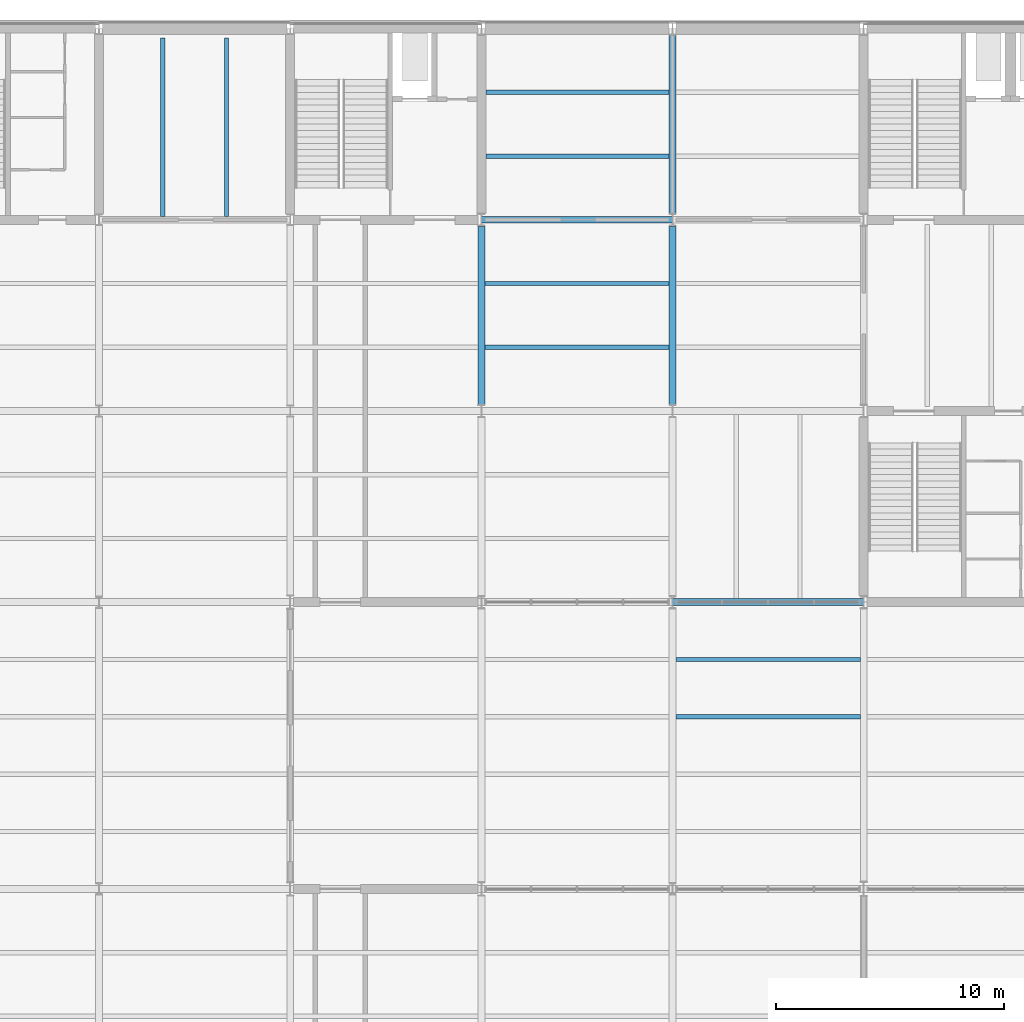
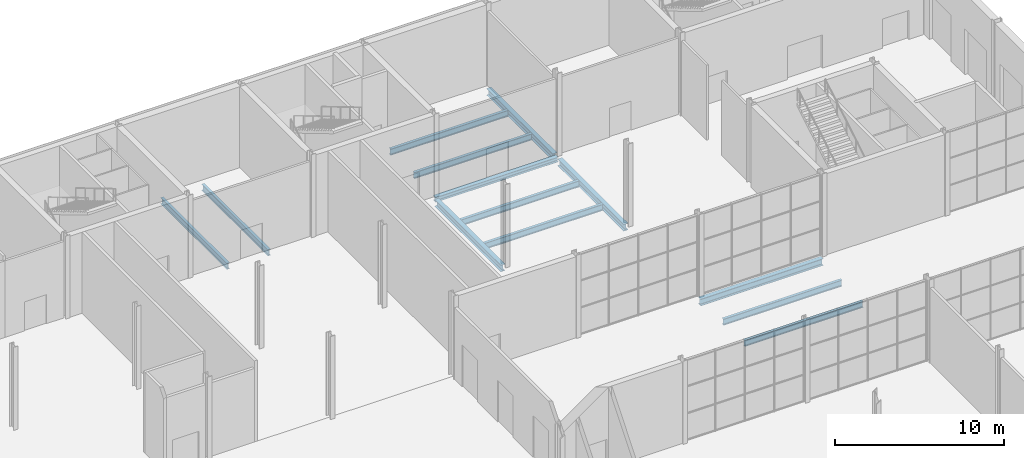
# One storey, part 24 of 55: 13 beams.
"""IFC4 building model written with IfcOpenShell, lengths in metres."""

from ifc_helpers import new_model, si_unit, direction, frame, origin, origin_2d, place, context, subcontext, project, spatial, i_section, extrude, material, material_profile, profile_set, type_object, element, save


model = new_model("IFC4")

# Units and contexts
model_context = context("Model", 3, precision=1e-05, world=origin(), true_north=direction((0.0, 1.0)))
body_context = subcontext(model_context, "Body", "Model", "MODEL_VIEW")
ifc_project = project(units=[si_unit("LENGTHUNIT", "METRE"), si_unit("AREAUNIT", "SQUARE_METRE"), si_unit("VOLUMEUNIT", "CUBIC_METRE"), si_unit("PLANEANGLEUNIT", "RADIAN"), si_unit("MASSUNIT", "GRAM", prefix="KILO")], contexts=[model_context])

# Site, building, storey
site_placement = place(None, origin())
site = spatial("IfcSite", under=ifc_project, at=site_placement, CompositionType="ELEMENT")
building_placement = place(site_placement, origin())
building = spatial("IfcBuilding", under=site, at=building_placement, Name="Galleria Vessillo Department Store", CompositionType="ELEMENT")
storey_placement = place(building_placement, origin())
storey = spatial("IfcBuildingStorey", under=building, at=storey_placement, Name="L00", CompositionType="ELEMENT", Elevation=0.0)

# Beams
ifc_material_1 = material(Name="Steel S355 J2", Category="steel")
ifc_material_profile_1 = material_profile(ifc_material_1, i_section(OverallWidth=0.300048828125, OverallDepth=0.489990234375, WebThickness=0.011962890625, FlangeThickness=0.02294921875, FilletRadius=0.027099609375, at=origin_2d()), Name="HEA 500")
ifc_profile_set_1 = profile_set([ifc_material_profile_1], Name="Steel S355 J2")
beam_type_1 = type_object("IfcBeamType", Name="Floor girder HEA 500", PredefinedType="BEAM", material=ifc_profile_set_1)
beam_1_placement = place(storey_placement, frame((92.41064453125, 37.800048828125, -0.4951171875), z_axis=(1.0, 0.0, 0.0), x_axis=(0.0, 1.0, 0.0)))
element("IfcBeam", 1, at=beam_1_placement, inside=storey, type_object=beam_type_1, Name="S-BM-L00-GI-x37800-92411", PredefinedType="BEAM", context=body_context, shape_type="SweptSolid", body=[
    extrude(i_section(OverallWidth=0.300048828125, OverallDepth=0.489990234375, WebThickness=0.011962890625, FlangeThickness=0.02294921875, FilletRadius=0.027099609375, at=origin_2d()), origin(), (0.0, 0.0, 1.0), 8.378662109375),
])
for number, where, z_axis, x_axis, name in (
    (2, (84.0, 46.486083984375, -0.39501953125), (0.0, 1.0, 0.0), (-1.0, 0.0, 0.0), "S-BM-L00-GI-y84000-46486"),
    (3, (92.39990234375, 46.486083984375, -0.39501953125), (0.0, 1.0, 0.0), (-1.0, 0.0, 0.0), "S-BM-L00-GI-y92400-46486"),
):
    element("IfcBeam", number, at=place(storey_placement, frame(where, z_axis=z_axis, x_axis=x_axis)), inside=storey, type_object=beam_type_1, Name=name, PredefinedType="BEAM", context=body_context, shape_type="SweptSolid", body=[
        extrude(i_section(OverallWidth=0.300048828125, OverallDepth=0.489990234375, WebThickness=0.011962890625, FlangeThickness=0.02294921875, FilletRadius=0.027099609375, at=origin_2d()), origin(), (0.0, 0.0, 1.0), 7.827880859375),
    ])
beam_2_placement = place(storey_placement, frame((92.39990234375, 54.88623046875, -0.39501953125), z_axis=(0.0, 1.0, 0.0), x_axis=(-1.0, 0.0, 0.0)))
element("IfcBeam", 4, at=beam_2_placement, inside=storey, type_object=beam_type_1, Name="S-BM-L00-GI-y92400-54886", PredefinedType="BEAM", context=body_context, shape_type="SweptSolid", body=[
    extrude(i_section(OverallWidth=0.300048828125, OverallDepth=0.489990234375, WebThickness=0.011962890625, FlangeThickness=0.02294921875, FilletRadius=0.027099609375, at=origin_2d()), origin(), (0.0, 0.0, 1.0), 7.82763671875),
])
ifc_material_2 = material(Name="Steel S355 J2", Category="steel")
ifc_material_profile_2 = material_profile(ifc_material_2, i_section(OverallWidth=0.18994140625, OverallDepth=0.449951171875, WebThickness=0.009521484375, FlangeThickness=0.0146484375, FilletRadius=0.02099609375, at=origin_2d()), Name="IPE 450")
ifc_profile_set_2 = profile_set([ifc_material_profile_2], Name="Steel S355 J2")
beam_type_2 = type_object("IfcBeamType", Name="Floor joist IPE 450", PredefinedType="JOIST", material=ifc_profile_set_2)
for number, where, z_axis, x_axis, name in (
    (5, (70.0, 54.750244140625, -0.375), (0.0, 1.0, 0.0), (-1.0, 0.0, 0.0), "S-BM-L00-JO-y70000-54750"),
    (6, (72.800048828125, 54.750244140625, -0.375), (0.0, 1.0, 0.0), (-1.0, 0.0, 0.0), "S-BM-L00-JO-y72800-54750"),
):
    element("IfcBeam", number, at=place(storey_placement, frame(where, z_axis=z_axis, x_axis=x_axis)), inside=storey, type_object=beam_type_2, Name=name, PredefinedType="JOIST", context=body_context, shape_type="SweptSolid", body=[
        extrude(i_section(OverallWidth=0.18994140625, OverallDepth=0.449951171875, WebThickness=0.009521484375, FlangeThickness=0.0146484375, FilletRadius=0.02099609375, at=origin_2d()), origin(), (0.0, 0.0, 1.0), 7.849609375),
    ])
for number, where, z_axis, x_axis, name in (
    (7, (84.150146484375, 49.0, -0.375), (1.0, 0.0, 0.0), (0.0, 1.0, 0.0), "S-BM-L00-JO-x49000-84150"),
    (8, (84.150146484375, 51.800048828125, -0.375), (1.0, 0.0, 0.0), (0.0, 1.0, 0.0), "S-BM-L00-JO-x51800-84150"),
):
    element("IfcBeam", number, at=place(storey_placement, frame(where, z_axis=z_axis, x_axis=x_axis)), inside=storey, type_object=beam_type_2, Name=name, PredefinedType="JOIST", context=body_context, shape_type="SweptSolid", body=[
        extrude(i_section(OverallWidth=0.18994140625, OverallDepth=0.449951171875, WebThickness=0.009521484375, FlangeThickness=0.0146484375, FilletRadius=0.02099609375, at=origin_2d()), origin(), (0.0, 0.0, 1.0), 8.099609375),
    ])
for number, where, z_axis, x_axis, name in (
    (9, (84.2001953125, 57.39990234375, -0.375), (1.0, 0.0, 0.0), (0.0, 1.0, 0.0), "S-BM-L00-JO-x57400-84200"),
    (10, (84.2001953125, 60.199951171875, -0.375), (1.0, 0.0, 0.0), (0.0, 1.0, 0.0), "S-BM-L00-JO-x60200-84200"),
):
    element("IfcBeam", number, at=place(storey_placement, frame(where, z_axis=z_axis, x_axis=x_axis)), inside=storey, type_object=beam_type_2, Name=name, PredefinedType="JOIST", context=body_context, shape_type="SweptSolid", body=[
        extrude(i_section(OverallWidth=0.18994140625, OverallDepth=0.449951171875, WebThickness=0.009521484375, FlangeThickness=0.0146484375, FilletRadius=0.02099609375, at=origin_2d()), origin(), (0.0, 0.0, 1.0), 8.049560546875),
    ])
for number, where, z_axis, x_axis, name in (
    (11, (92.550048828125, 32.760009765625, -0.47509765625), (1.0, 0.0, 0.0), (0.0, 1.0, 0.0), "S-BM-L00-JO-x32760-92550"),
    (12, (92.550048828125, 35.280029296875, -0.47509765625), (1.0, 0.0, 0.0), (0.0, 1.0, 0.0), "S-BM-L00-JO-x35280-92550"),
):
    element("IfcBeam", number, at=place(storey_placement, frame(where, z_axis=z_axis, x_axis=x_axis)), inside=storey, type_object=beam_type_2, Name=name, PredefinedType="JOIST", context=body_context, shape_type="SweptSolid", body=[
        extrude(i_section(OverallWidth=0.18994140625, OverallDepth=0.449951171875, WebThickness=0.009521484375, FlangeThickness=0.0146484375, FilletRadius=0.02099609375, at=origin_2d()), origin(), (0.0, 0.0, 1.0), 8.099853515625),
    ])
ifc_material_3 = material(Name="Steel S355 J2", Category="steel")
ifc_material_profile_3 = material_profile(ifc_material_3, i_section(OverallWidth=0.300048828125, OverallDepth=0.35009765625, WebThickness=0.010009765625, FlangeThickness=0.017578125, FilletRadius=0.027099609375, at=origin_2d()), Name="HEA 360")
ifc_profile_set_3 = profile_set([ifc_material_profile_3], Name="Steel S355 J2")
beam_type_3 = type_object("IfcBeamType", Name="Floor tie girder HEA 360", PredefinedType="BEAM", material=ifc_profile_set_3)
beam_3_placement = place(storey_placement, frame((84.0107421875, 54.60009765625, -0.324951171875), z_axis=(1.0, 0.0, 0.0), x_axis=(0.0, 1.0, 0.0)))
element("IfcBeam", 13, at=beam_3_placement, inside=storey, type_object=beam_type_3, Name="S-BM-L00-TI-x54600-84011", PredefinedType="BEAM", context=body_context, shape_type="SweptSolid", body=[
    extrude(i_section(OverallWidth=0.300048828125, OverallDepth=0.35009765625, WebThickness=0.010009765625, FlangeThickness=0.017578125, FilletRadius=0.027099609375, at=origin_2d()), origin(), (0.0, 0.0, 1.0), 8.378662109375),
])

save(model, "model.ifc")
